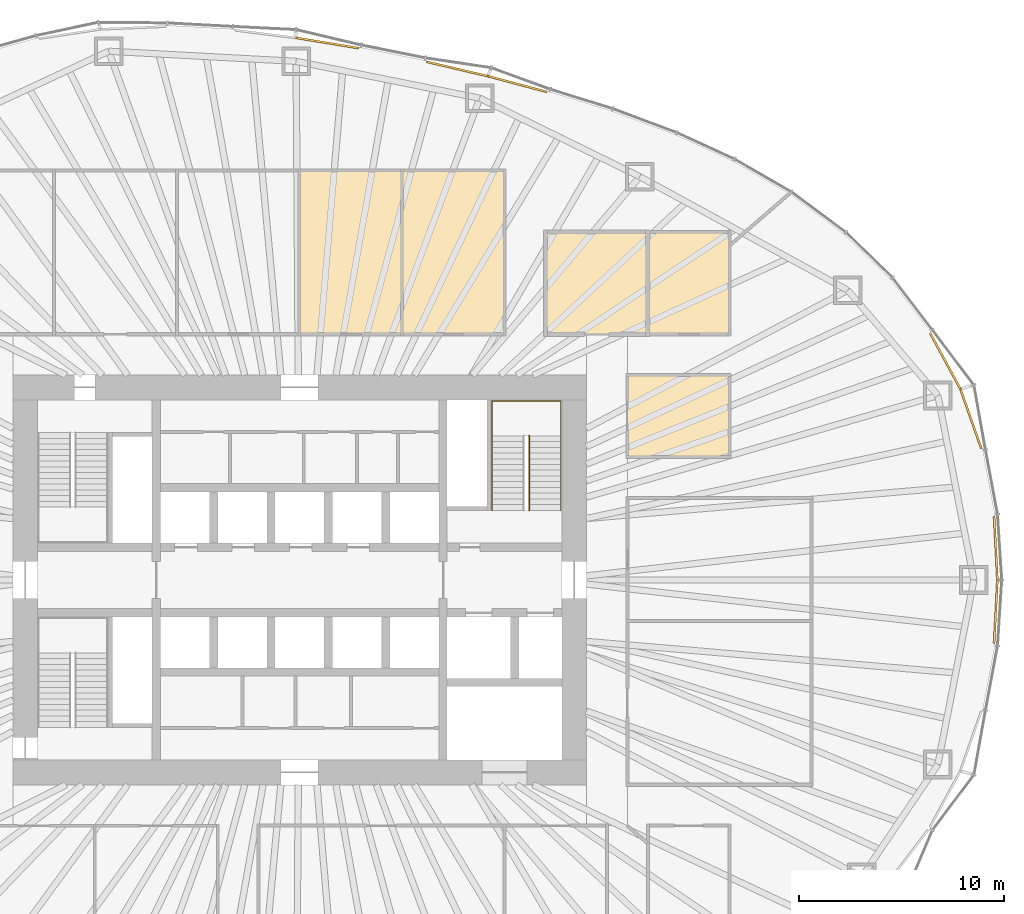
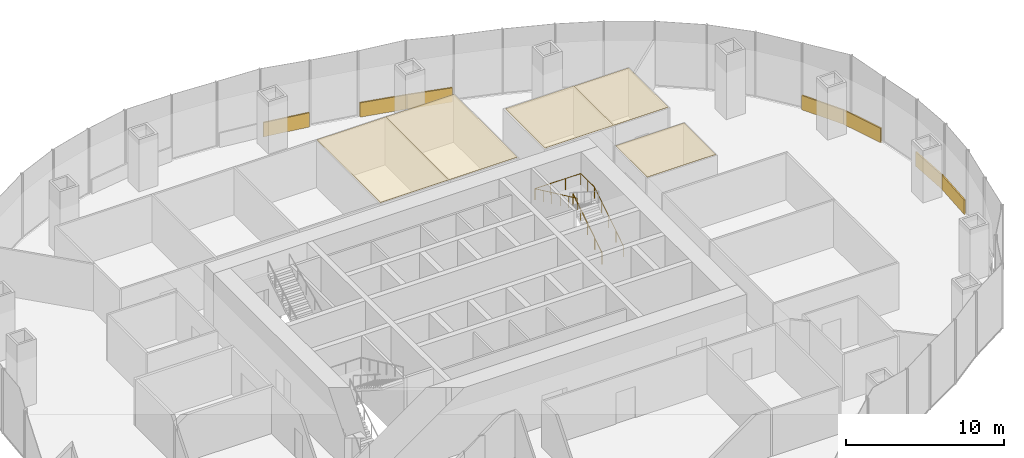
# One storey, part 18 of 18: 12 coverings, 2 railings.
"""IFC4 building model written with IfcOpenShell, lengths in metres."""

from ifc_helpers import new_model, si_unit, direction, frame, origin, origin_2d, place, context, subcontext, project, spatial, polyline, rectangle, circle, outline, extrude, material, layer, layer_set, type_object, element, save


model = new_model("IFC4")

# Units and contexts
model_context = context("Model", 3, precision=1e-05, world=origin(), true_north=direction((0.0, 1.0)))
body_context = subcontext(model_context, "Body", "Model", "MODEL_VIEW")
ifc_project = project(units=[si_unit("LENGTHUNIT", "METRE"), si_unit("AREAUNIT", "SQUARE_METRE"), si_unit("VOLUMEUNIT", "CUBIC_METRE"), si_unit("PLANEANGLEUNIT", "RADIAN"), si_unit("MASSUNIT", "GRAM", prefix="KILO")], contexts=[model_context])

# Site, building, storey
site_placement = place(None, origin())
site = spatial("IfcSite", under=ifc_project, at=site_placement, CompositionType="ELEMENT")
building_placement = place(site_placement, origin())
building = spatial("IfcBuilding", under=site, at=building_placement, Name="Ghaith Harvest Tower", CompositionType="ELEMENT")
storey_placement = place(building_placement, frame((0.0, 0.0, 95.0)))
storey = spatial("IfcBuildingStorey", under=building, at=storey_placement, Name="L19", CompositionType="ELEMENT", Elevation=95.0)

# Coverings
ifc_material_1 = material(Name="Mineral fibre ceiling tile", Category="gypsum")
ifc_layer_1 = layer(ifc_material_1, 0.02490234375)
ifc_layer_set_1 = layer_set([ifc_layer_1], Name="CEILING C2")
covering_type_1 = type_object("IfcCoveringType", Name="CEILING C2", PredefinedType="CEILING", material=ifc_layer_set_1)
covering_1_placement = place(storey_placement, frame((0.0, 0.0, 3.60009765625)))
element("IfcCovering", 1, at=covering_1_placement, inside=storey, type_object=covering_type_1, Name="Ceiling L19-11", PredefinedType="CEILING", context=body_context, shape_type="SweptSolid", body=[
    extrude(outline(polyline([(0.0, 12.0), (5.0, 12.0), (5.0, 20.0), (0.0, 20.0), (0.0, 12.0)])), origin(), (0.0, 0.0, 1.0), 0.02490234375),
])
covering_2_placement = place(storey_placement, frame((0.0, 0.0, 3.60009765625)))
element("IfcCovering", 2, at=covering_2_placement, inside=storey, type_object=covering_type_1, Name="Ceiling L19-12", PredefinedType="CEILING", context=body_context, shape_type="SweptSolid", body=[
    extrude(outline(polyline([(5.0, 12.0), (10.0, 12.0), (10.0, 20.0), (5.0, 20.0), (5.0, 12.0)])), origin(), (0.0, 0.0, 1.0), 0.02490234375),
])
covering_3_placement = place(storey_placement, frame((0.0, 0.0, 3.60009765625)))
element("IfcCovering", 3, at=covering_3_placement, inside=storey, type_object=covering_type_1, Name="Ceiling L19-15", PredefinedType="CEILING", context=body_context, shape_type="SweptSolid", body=[
    extrude(outline(polyline([(12.0, 12.0), (17.0, 12.0), (17.0, 17.0), (12.0, 17.0), (12.0, 12.0)])), origin(), (0.0, 0.0, 1.0), 0.02490234375),
])
covering_4_placement = place(storey_placement, frame((0.0, 0.0, 3.60009765625)))
element("IfcCovering", 4, at=covering_4_placement, inside=storey, type_object=covering_type_1, Name="Ceiling L19-16", PredefinedType="CEILING", context=body_context, shape_type="SweptSolid", body=[
    extrude(outline(polyline([(17.0, 12.0), (21.0, 12.0), (21.0, 17.0), (17.0, 17.0), (17.0, 12.0)])), origin(), (0.0, 0.0, 1.0), 0.02490234375),
])
covering_5_placement = place(storey_placement, frame((0.0, 0.0, 3.60009765625)))
element("IfcCovering", 5, at=covering_5_placement, inside=storey, type_object=covering_type_1, Name="Ceiling L19-18", PredefinedType="CEILING", context=body_context, shape_type="SweptSolid", body=[
    extrude(outline(polyline([(16.0, 6.0), (21.0, 6.0), (21.0, 10.0), (16.0, 10.0), (16.0, 6.0)])), origin(), (0.0, 0.0, 1.0), 0.02490234375),
])

# Railings
ifc_material_2 = material(Name="Steel, black powder-coated", Category="steel")
railing_type = type_object("IfcRailingType", Name="HANDRAIL HR1", PredefinedType="HANDRAIL", material=ifc_material_2)
railing_1_placement = place(storey_placement, frame((11.199951171875, 3.39990234375, 0.178466796875)))
element("IfcRailing", 6, at=railing_1_placement, inside=storey, type_object=railing_type, Name="Handrail HR1 stair ST2 L19 flight 1 inner", PredefinedType="HANDRAIL", context=body_context, shape_type="SweptSolid", body=[
    extrude(circle(Radius=0.02392578125, at=origin_2d()), frame((0.0, 0.0, 0.8759765625), z_axis=(0.0, 0.843127859045, 0.537713132908), x_axis=(-1.0, 0.0, 0.0)), (0.0, 0.0, 1.0), 4.3173828125),
    extrude(circle(Radius=0.02099609375, at=origin_2d()), origin(), (0.0, 0.0, 1.0), 0.851806640625),
    extrude(circle(Radius=0.02099609375, at=origin_2d()), frame((0.0, 0.91015625, 0.580322265625)), (0.0, 0.0, 1.0), 0.851806640625),
    extrude(circle(Radius=0.02099609375, at=origin_2d()), frame((0.0, 1.820068359375, 1.16064453125)), (0.0, 0.0, 1.0), 0.851806640625),
    extrude(circle(Radius=0.02099609375, at=origin_2d()), frame((0.0, 2.72998046875, 1.7412109375)), (0.0, 0.0, 1.0), 0.851806640625),
    extrude(circle(Radius=0.02099609375, at=origin_2d()), frame((0.0, 3.64013671875, 2.321533203125)), (0.0, 0.0, 1.0), 0.851806640625),
])
railing_2_placement = place(storey_placement, frame((12.75, 3.39990234375, 0.178466796875)))
element("IfcRailing", 7, at=railing_2_placement, inside=storey, type_object=railing_type, Name="Handrail HR1 stair ST2 L19 wall side", PredefinedType="HANDRAIL", context=body_context, shape_type="SweptSolid", body=[
    extrude(circle(Radius=0.02392578125, at=origin_2d()), frame((0.0, 0.0, 0.8759765625), z_axis=(0.0, 0.843127859045, 0.537713132908), x_axis=(-1.0, 0.0, 0.0)), (0.0, 0.0, 1.0), 4.3173828125),
    extrude(circle(Radius=0.02392578125, at=origin_2d()), frame((0.0, 3.64013671875, 3.197265625), z_axis=(0.0, 1.0, 0.0), x_axis=(-1.0, 0.0, 0.0)), (0.0, 0.0, 1.0), 1.7099609375),
    extrude(circle(Radius=0.02392578125, at=origin_2d()), frame((0.0, 5.35009765625, 3.197265625), z_axis=(-1.0, 0.0, 0.0), x_axis=(0.0, -1.0, 0.0)), (0.0, 0.0, 1.0), 3.35009765625),
    extrude(circle(Radius=0.02392578125, at=origin_2d()), frame((-3.35009765625, 5.35009765625, 3.197265625), z_axis=(0.0, -0.905969675553, 0.423342588193), x_axis=(1.0, 0.0, 0.0)), (0.0, 0.0, 1.0), 5.9052734375),
    extrude(circle(Radius=0.02099609375, at=origin_2d()), origin(), (0.0, 0.0, 1.0), 0.851806640625),
    extrude(circle(Radius=0.02099609375, at=origin_2d()), frame((0.0, 0.91015625, 0.580322265625)), (0.0, 0.0, 1.0), 0.851806640625),
    extrude(circle(Radius=0.02099609375, at=origin_2d()), frame((0.0, 1.820068359375, 1.16064453125)), (0.0, 0.0, 1.0), 0.851806640625),
    extrude(circle(Radius=0.02099609375, at=origin_2d()), frame((0.0, 2.72998046875, 1.7412109375)), (0.0, 0.0, 1.0), 0.851806640625),
    extrude(circle(Radius=0.02099609375, at=origin_2d()), frame((0.0, 3.64013671875, 2.321533203125)), (0.0, 0.0, 1.0), 0.851806640625),
    extrude(circle(Radius=0.02099609375, at=origin_2d()), frame((0.0, 4.4951171875, 2.321533203125)), (0.0, 0.0, 1.0), 0.851806640625),
    extrude(circle(Radius=0.02099609375, at=origin_2d()), frame((0.0, 5.35009765625, 2.321533203125)), (0.0, 0.0, 1.0), 0.851806640625),
    extrude(circle(Radius=0.02099609375, at=origin_2d()), frame((-1.11669921875, 5.35009765625, 2.321533203125)), (0.0, 0.0, 1.0), 0.851806640625),
    extrude(circle(Radius=0.02099609375, at=origin_2d()), frame((-2.2333984375, 5.35009765625, 2.321533203125)), (0.0, 0.0, 1.0), 0.851806640625),
    extrude(circle(Radius=0.02099609375, at=origin_2d()), frame((-3.35009765625, 5.35009765625, 2.321533203125)), (0.0, 0.0, 1.0), 0.851806640625),
    extrude(circle(Radius=0.02099609375, at=origin_2d()), frame((-3.35009765625, 4.280029296875, 2.821533203125)), (0.0, 0.0, 1.0), 0.851806640625),
    extrude(circle(Radius=0.02099609375, at=origin_2d()), frame((-3.35009765625, 3.2099609375, 3.321533203125)), (0.0, 0.0, 1.0), 0.851806640625),
    extrude(circle(Radius=0.02099609375, at=origin_2d()), frame((-3.35009765625, 2.14013671875, 3.821533203125)), (0.0, 0.0, 1.0), 0.851806640625),
    extrude(circle(Radius=0.02099609375, at=origin_2d()), frame((-3.35009765625, 1.070068359375, 4.321533203125)), (0.0, 0.0, 1.0), 0.851806640625),
    extrude(circle(Radius=0.02099609375, at=origin_2d()), frame((-3.35009765625, 0.0, 4.821533203125)), (0.0, 0.0, 1.0), 0.851806640625),
])

# Coverings
ifc_material_3 = material(Name="Insulated aluminium spandrel panel on steel framing", Category="steel")
ifc_layer_2 = layer(ifc_material_3, 0.10009765625)
ifc_layer_set_2 = layer_set([ifc_layer_2], Name="SLAB EDGE UPSTAND 1100x100")
covering_type_2 = type_object("IfcCoveringType", Name="SLAB EDGE UPSTAND 1100x100", PredefinedType="CLADDING", material=ifc_layer_set_2)
covering_6_placement = place(storey_placement, frame((33.994384765625, 1.54443359375, 0.0), z_axis=(0.0, 0.0, 1.0), x_axis=(-0.052048501689, 0.998644558125, 0.0)))
element("IfcCovering", 8, at=covering_6_placement, inside=storey, type_object=covering_type_2, Name="Slab edge upstand 1 bay 01 L19", PredefinedType="CLADDING", context=body_context, shape_type="SweptSolid", body=[
    extrude(rectangle(XDim=3.098388671875, YDim=0.10009765625, at=origin_2d()), origin(), (0.0, 0.0, 1.0), 1.10009765625),
])
covering_7_placement = place(storey_placement, frame((32.78125, 7.867919921875, 0.0), z_axis=(0.0, 0.0, 1.0), x_axis=(-0.330597697022, 0.943771774702, 0.0)))
element("IfcCovering", 9, at=covering_7_placement, inside=storey, type_object=covering_type_2, Name="Slab edge upstand 3 bay 01 L19", PredefinedType="CLADDING", context=body_context, shape_type="SweptSolid", body=[
    extrude(rectangle(XDim=3.0859375, YDim=0.10009765625, at=origin_2d()), origin(), (0.0, 0.0, 1.0), 1.10009765625),
])
covering_8_placement = place(storey_placement, frame((31.53173828125, 10.68798828125, 0.0), z_axis=(0.0, 0.0, 1.0), x_axis=(-0.476349292539, 0.87925613532, 0.0)))
element("IfcCovering", 10, at=covering_8_placement, inside=storey, type_object=covering_type_2, Name="Slab edge upstand 1 bay 02 L19", PredefinedType="CLADDING", context=body_context, shape_type="SweptSolid", body=[
    extrude(rectangle(XDim=3.118896484375, YDim=0.10009765625, at=origin_2d()), origin(), (0.0, 0.0, 1.0), 1.10009765625),
])
covering_9_placement = place(storey_placement, frame((10.63623046875, 24.218994140625, 0.0), z_axis=(0.0, 0.0, 1.0), x_axis=(-0.9660243418, 0.258451099919, 0.0)))
element("IfcCovering", 11, at=covering_9_placement, inside=storey, type_object=covering_type_2, Name="Slab edge upstand 3 bay 04 L19", PredefinedType="CLADDING", context=body_context, shape_type="SweptSolid", body=[
    extrude(rectangle(XDim=2.968505859375, YDim=0.10009765625, at=origin_2d()), origin(), (0.0, 0.0, 1.0), 1.10009765625),
])
covering_10_placement = place(storey_placement, frame((7.699462890625, 24.95458984375, 0.0), z_axis=(0.0, 0.0, 1.0), x_axis=(-0.973634089594, 0.228115452305, 0.0)))
element("IfcCovering", 12, at=covering_10_placement, inside=storey, type_object=covering_type_2, Name="Slab edge upstand 1 bay 05 L19", PredefinedType="CLADDING", context=body_context, shape_type="SweptSolid", body=[
    extrude(rectangle(XDim=3.090576171875, YDim=0.10009765625, at=origin_2d()), origin(), (0.0, 0.0, 1.0), 1.10009765625),
])
covering_11_placement = place(storey_placement, frame((1.349609375, 26.224365234375, 0.0), z_axis=(0.0, 0.0, 1.0), x_axis=(-0.986716247541, 0.162453214305, 0.0)))
element("IfcCovering", 13, at=covering_11_placement, inside=storey, type_object=covering_type_2, Name="Slab edge upstand 3 bay 05 L19", PredefinedType="CLADDING", context=body_context, shape_type="SweptSolid", body=[
    extrude(rectangle(XDim=3.119873046875, YDim=0.10009765625, at=origin_2d()), origin(), (0.0, 0.0, 1.0), 1.10009765625),
])
covering_12_placement = place(storey_placement, frame((33.994384765625, -1.54443359375, 0.0), z_axis=(0.0, 0.0, 1.0), x_axis=(0.052048501794, 0.998644558119, 0.0)))
element("IfcCovering", 14, at=covering_12_placement, inside=storey, type_object=covering_type_2, Name="Slab edge upstand 3 bay 20 L19", PredefinedType="CLADDING", context=body_context, shape_type="SweptSolid", body=[
    extrude(rectangle(XDim=3.098388671875, YDim=0.10009765625, at=origin_2d()), origin(), (0.0, 0.0, 1.0), 1.10009765625),
])

save(model, "model.ifc")
